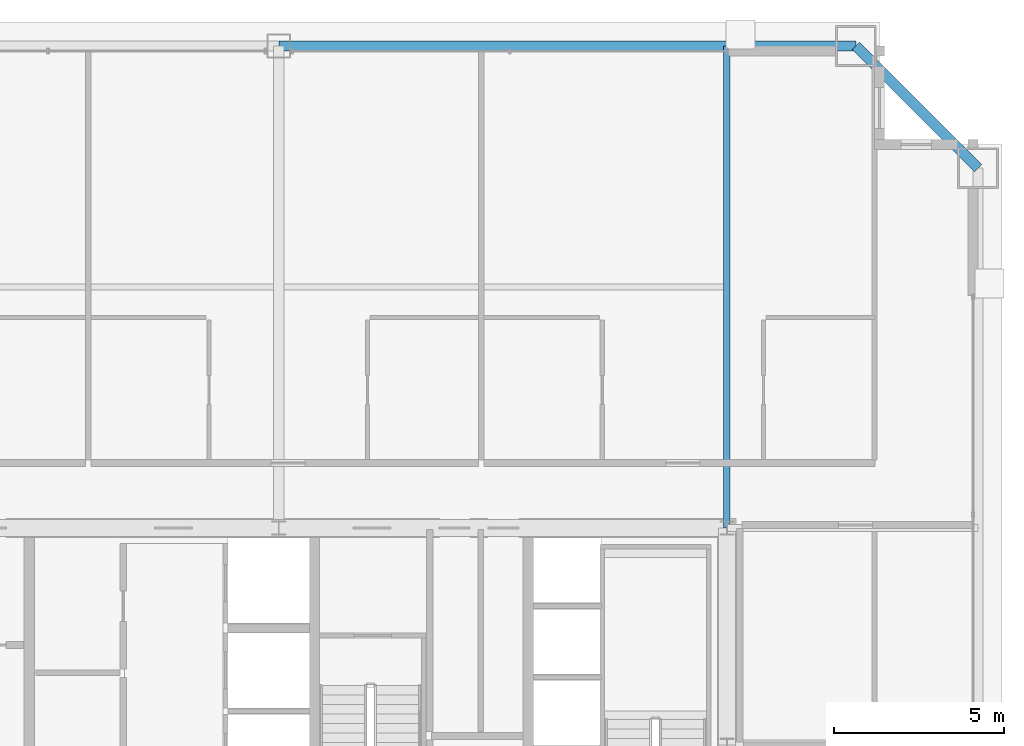
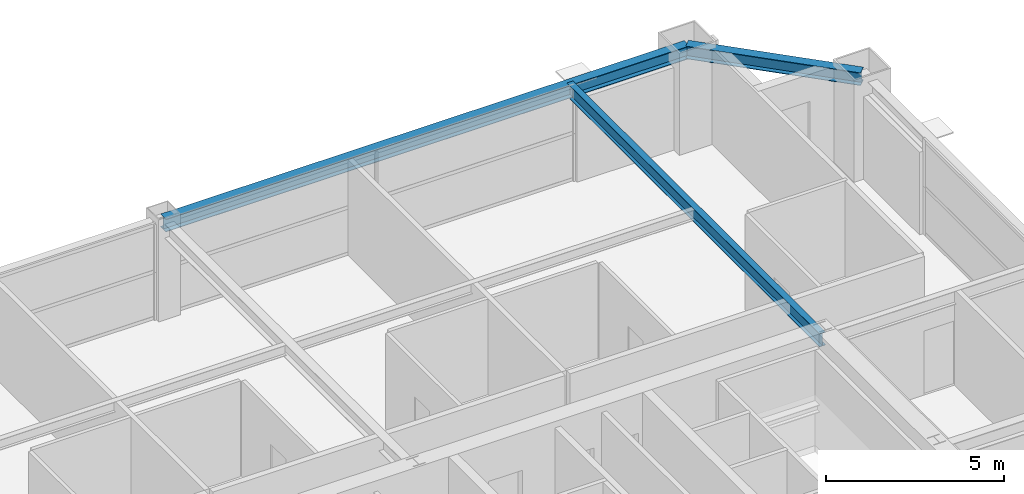
# One storey, part 29 of 36: 3 beams.
"""IFC4 building model written with IfcOpenShell, lengths in metres."""

from ifc_helpers import new_model, si_unit, direction, frame, origin, origin_2d, place, context, subcontext, project, spatial, i_section, extrude, source, transform, mapped, material, material_profile, profile_set, type_object, element, save


model = new_model("IFC4")

# Units and contexts
model_context = context("Model", 3, precision=1e-05, world=origin(), true_north=direction((0.0, 1.0)))
body_context = subcontext(model_context, "Body", "Model", "MODEL_VIEW")
ifc_project = project(units=[si_unit("LENGTHUNIT", "METRE"), si_unit("AREAUNIT", "SQUARE_METRE"), si_unit("VOLUMEUNIT", "CUBIC_METRE"), si_unit("PLANEANGLEUNIT", "RADIAN"), si_unit("MASSUNIT", "GRAM", prefix="KILO"), si_unit("THERMODYNAMICTEMPERATUREUNIT", "KELVIN"), si_unit("POWERUNIT", "WATT")], contexts=[model_context])

# Site, building, storey
site_placement = place(None, origin())
site = spatial("IfcSite", under=ifc_project, at=site_placement, CompositionType="ELEMENT")
building_placement = place(site_placement, origin())
building = spatial("IfcBuilding", under=site, at=building_placement, Name="Yuzanri Waterfront Tower", CompositionType="ELEMENT")
storey_placement = place(building_placement, frame((0.0, 0.0, 238.10009765625)))
storey = spatial("IfcBuildingStorey", under=building, at=storey_placement, Name="L63", CompositionType="ELEMENT", Elevation=238.10009765625)

# Beams
ifc_material_1 = material(Name="Steel Q355B", Category="steel")
ifc_material_profile_1 = material_profile(ifc_material_1, i_section(OverallWidth=0.300048828125, OverallDepth=0.43994140625, WebThickness=0.010986328125, FlangeThickness=0.01806640625, at=origin_2d()), Name="HM 440x300x11x18")
ifc_profile_set_1 = profile_set([ifc_material_profile_1], Name="Steel Q355B")
beam_type_1 = type_object("IfcBeamType", Name="Perimeter Spandrel Q355B HM 440x300", PredefinedType="SPANDREL", material=ifc_profile_set_1)
shared_shape_1 = source(origin(), body_context, "Body", "SweptSolid", [
    extrude(i_section(OverallWidth=0.300048828125, OverallDepth=0.43994140625, WebThickness=0.010986328125, FlangeThickness=0.01806640625, at=origin_2d()), origin(), (0.0, 0.0, 1.0), 5.091064453125),
])
beam_1_placement = place(storey_placement, frame((57.60009765625, 42.800048828125, 3.059814453125), z_axis=(-0.707130757816, 0.707082803744, 0.0), x_axis=(-0.707082803744, -0.707130757816, 0.0)))
element("IfcBeam", 1, at=beam_1_placement, inside=storey, type_object=beam_type_1, Name="L63 Perimeter Spandrel E3-N3", PredefinedType="SPANDREL", context=body_context, shape_type="MappedRepresentation", body=[
    mapped(shared_shape_1, transform((0.0, 0.0, 0.0), scale=1.0)),
])
shared_shape_2 = source(origin(), body_context, "Body", "SweptSolid", [
    extrude(i_section(OverallWidth=0.300048828125, OverallDepth=0.43994140625, WebThickness=0.010986328125, FlangeThickness=0.01806640625, at=origin_2d()), origin(), (0.0, 0.0, 1.0), 17.0),
])
beam_2_placement = place(storey_placement, frame((54.0, 46.39990234375, 3.059814453125), z_axis=(-1.0, 0.0, 0.0), x_axis=(0.0, -1.0, 0.0)))
element("IfcBeam", 2, at=beam_2_placement, inside=storey, type_object=beam_type_1, Name="L63 Perimeter Spandrel N3-N2", PredefinedType="SPANDREL", context=body_context, shape_type="MappedRepresentation", body=[
    mapped(shared_shape_2, transform((0.0, 0.0, 0.0), scale=1.0)),
])
ifc_material_2 = material(Name="Steel Q355B", Category="steel")
ifc_material_profile_2 = material_profile(ifc_material_2, i_section(OverallWidth=0.199951171875, OverallDepth=0.449951171875, WebThickness=0.009033203125, FlangeThickness=0.013916015625, at=origin_2d()), Name="HN 450x200x9x14")
ifc_profile_set_2 = profile_set([ifc_material_profile_2], Name="Steel Q355B")
beam_type_2 = type_object("IfcBeamType", Name="Secondary Floor Beam Q355B HN 450x200", PredefinedType="BEAM", material=ifc_profile_set_2)
shared_shape_3 = source(origin(), body_context, "Body", "SweptSolid", [
    extrude(i_section(OverallWidth=0.199951171875, OverallDepth=0.449951171875, WebThickness=0.009033203125, FlangeThickness=0.013916015625, at=origin_2d()), origin(), (0.0, 0.0, 1.0), 14.199951171875),
])
beam_3_placement = place(storey_placement, frame((50.199951171875, 32.199951171875, 3.054931640625), z_axis=(0.0, 1.0, 0.0), x_axis=(-1.0, 0.0, 0.0)))
element("IfcBeam", 3, at=beam_3_placement, inside=storey, type_object=beam_type_2, Name="L63 North-East Core Line Beam", PredefinedType="BEAM", context=body_context, shape_type="MappedRepresentation", body=[
    mapped(shared_shape_3, transform((0.0, 0.0, 0.0), scale=1.0)),
])

save(model, "model.ifc")
